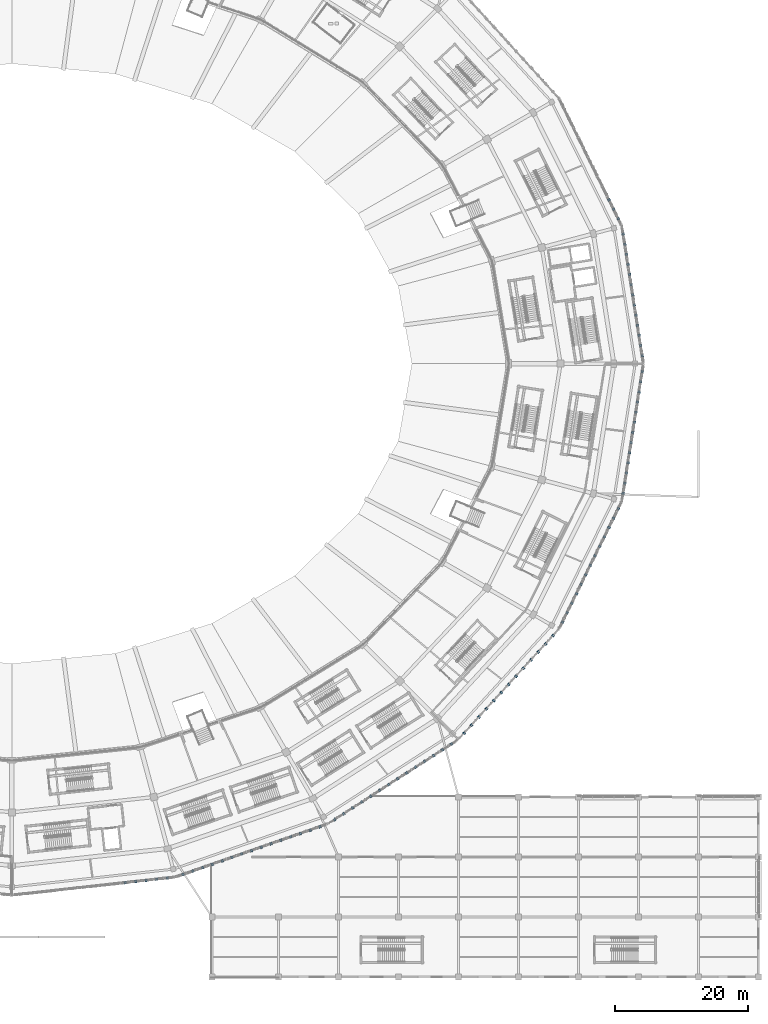
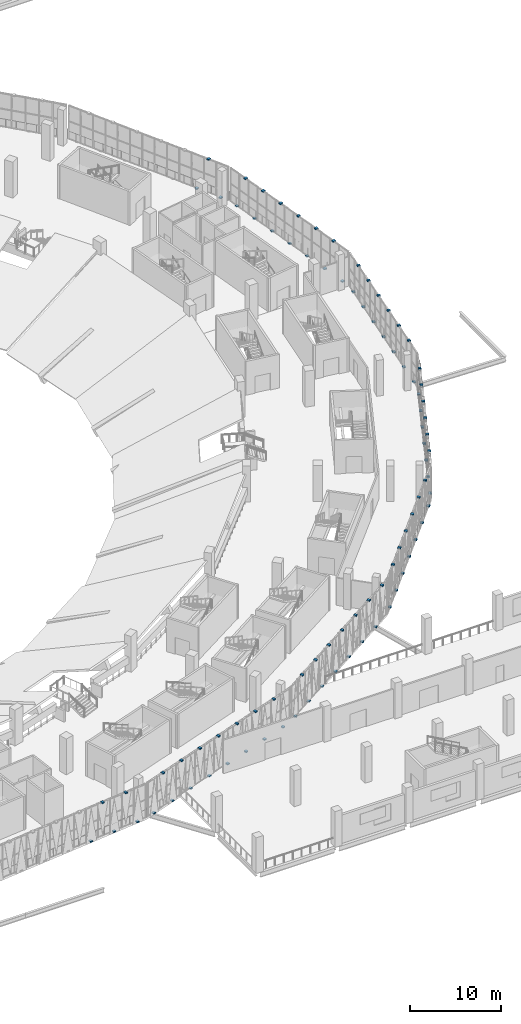
# One storey, part 121 of 183: 89 discrete accessories.
"""IFC4 building model written with IfcOpenShell, lengths in metres."""

from ifc_helpers import new_model, si_unit, direction, frame, origin, origin_2d, place, context, subcontext, project, spatial, rectangle, extrude, material, layer, layer_set, type_object, element, save


model = new_model("IFC4")

# Units and contexts
model_context = context("Model", 3, precision=1e-05, world=origin(), true_north=direction((0.0, 1.0)))
body_context = subcontext(model_context, "Body", "Model", "MODEL_VIEW")
ifc_project = project(units=[si_unit("LENGTHUNIT", "METRE"), si_unit("AREAUNIT", "SQUARE_METRE"), si_unit("VOLUMEUNIT", "CUBIC_METRE"), si_unit("PLANEANGLEUNIT", "RADIAN"), si_unit("MASSUNIT", "GRAM", prefix="KILO")], contexts=[model_context])

# Site, building, storey
site_placement = place(None, origin())
site = spatial("IfcSite", under=ifc_project, at=site_placement, CompositionType="ELEMENT")
building_placement = place(site_placement, origin())
building = spatial("IfcBuilding", under=site, at=building_placement, Name="Zevraka Park Crest Stadium", CompositionType="ELEMENT")
storey_placement = place(building_placement, frame((0.0, 0.0, 5.39990234375)))
storey = spatial("IfcBuildingStorey", under=building, at=storey_placement, Name="L01", CompositionType="ELEMENT", Elevation=5.39990234375)

# Discrete accessories
ifc_material = material(Name="Galvanised steel bracketry", Category="steel")
ifc_layer = layer(ifc_material, 0.1201171875)
ifc_layer_set = layer_set([ifc_layer], Name="Galvanised steel bracketry")
discrete_accessory_type = type_object("IfcDiscreteAccessoryType", Name="BRK01", PredefinedType="BRACKET", material=ifc_layer_set)
for number, where, z_axis, x_axis, name in (
    (1, (206.552978515625, 93.196044921875, -0.15966796875), (0.0, 0.0, 1.0), (-0.154537952419, 0.987986852778, 0.0), "Bronze Screen Carrier Bracket BRK01 L01-00-1"),
    (2, (206.31494140625, 94.716064453125, 4.38037109375), (0.0, 0.0, 1.0), (-0.154537952419, 0.987986852778, 0.0), "Bronze Screen Carrier Bracket BRK01 L01-00-2"),
    (3, (206.076904296875, 96.237060546875, -0.15966796875), (0.0, 0.0, 1.0), (-0.154537952419, 0.987986852778, 0.0), "Bronze Screen Carrier Bracket BRK01 L01-00-3"),
    (4, (205.839111328125, 97.757080078125, 4.38037109375), (0.0, 0.0, 1.0), (-0.154537952419, 0.987986852778, 0.0), "Bronze Screen Carrier Bracket BRK01 L01-00-4"),
    (5, (205.60205078125, 99.277099609375, -0.15966796875), (0.0, 0.0, 1.0), (-0.154537952419, 0.987986852778, 0.0), "Bronze Screen Carrier Bracket BRK01 L01-00-5"),
    (6, (205.364013671875, 100.798095703125, 4.38037109375), (0.0, 0.0, 1.0), (-0.154537952419, 0.987986852778, 0.0), "Bronze Screen Carrier Bracket BRK01 L01-00-6"),
    (7, (205.1259765625, 102.318115234375, -0.15966796875), (0.0, 0.0, 1.0), (-0.154537952419, 0.987986852778, 0.0), "Bronze Screen Carrier Bracket BRK01 L01-00-7"),
    (8, (204.887939453125, 103.837890625, 4.38037109375), (0.0, 0.0, 1.0), (-0.154537952419, 0.987986852778, 0.0), "Bronze Screen Carrier Bracket BRK01 L01-00-8"),
    (9, (204.64990234375, 105.35888671875, -0.15966796875), (0.0, 0.0, 1.0), (-0.154537952419, 0.987986852778, 0.0), "Bronze Screen Carrier Bracket BRK01 L01-00-9"),
    (10, (204.4130859375, 106.87890625, 4.38037109375), (0.0, 0.0, 1.0), (-0.154537952419, 0.987986852778, 0.0), "Bronze Screen Carrier Bracket BRK01 L01-00-10"),
    (11, (204.175048828125, 108.39892578125, -0.15966796875), (0.0, 0.0, 1.0), (-0.154537952419, 0.987986852778, 0.0), "Bronze Screen Carrier Bracket BRK01 L01-00-11"),
    (12, (203.93701171875, 109.919921875, 4.38037109375), (0.0, 0.0, 1.0), (-0.154537952419, 0.987986852778, 0.0), "Bronze Screen Carrier Bracket BRK01 L01-00-12"),
    (13, (203.698974609375, 111.43994140625, -0.15966796875), (0.0, 0.0, 1.0), (-0.154537952419, 0.987986852778, 0.0), "Bronze Screen Carrier Bracket BRK01 L01-00-13"),
    (14, (202.968017578125, 113.740966796875, -0.15966796875), (0.0, 0.0, 1.0), (-0.441505852792, 0.897258369674, 0.0), "Bronze Screen Carrier Bracket BRK01 L01-01-1"),
    (15, (202.27001953125, 115.158935546875, 4.38037109375), (0.0, 0.0, 1.0), (-0.441505852792, 0.897258369674, 0.0), "Bronze Screen Carrier Bracket BRK01 L01-01-2"),
    (16, (201.572021484375, 116.577880859375, -0.15966796875), (0.0, 0.0, 1.0), (-0.441505852792, 0.897258369674, 0.0), "Bronze Screen Carrier Bracket BRK01 L01-01-3"),
    (17, (128.989013671875, 14.14306640625, -0.15966796875), (0.0, 0.0, 1.0), (0.9939225904, 0.110081262225, 0.0), "Bronze Screen Carrier Bracket BRK01 L01-18-11"),
    (18, (130.56494140625, 14.318115234375, 4.38037109375), (0.0, 0.0, 1.0), (0.9939225904, 0.110081262225, 0.0), "Bronze Screen Carrier Bracket BRK01 L01-18-12"),
    (19, (132.14111328125, 14.492919921875, -0.15966796875), (0.0, 0.0, 1.0), (0.9939225904, 0.110081262225, 0.0), "Bronze Screen Carrier Bracket BRK01 L01-18-13"),
    (20, (133.718017578125, 14.6669921875, 4.38037109375), (0.0, 0.0, 1.0), (0.9939225904, 0.110081262225, 0.0), "Bronze Screen Carrier Bracket BRK01 L01-18-14"),
    (21, (135.2939453125, 14.842041015625, -0.15966796875), (0.0, 0.0, 1.0), (0.9939225904, 0.110081262225, 0.0), "Bronze Screen Carrier Bracket BRK01 L01-18-15"),
    (22, (137.675048828125, 15.3798828125, -0.15966796875), (0.0, 0.0, 1.0), (0.944261516589, 0.329196276237, 0.0), "Bronze Screen Carrier Bracket BRK01 L01-19-1"),
    (23, (139.14208984375, 15.89208984375, 4.38037109375), (0.0, 0.0, 1.0), (0.944261516589, 0.329196276237, 0.0), "Bronze Screen Carrier Bracket BRK01 L01-19-2"),
    (24, (140.610107421875, 16.403076171875, -0.15966796875), (0.0, 0.0, 1.0), (0.944261516589, 0.329196276237, 0.0), "Bronze Screen Carrier Bracket BRK01 L01-19-3"),
    (25, (142.077880859375, 16.9150390625, 4.38037109375), (0.0, 0.0, 1.0), (0.944261516589, 0.329196276237, 0.0), "Bronze Screen Carrier Bracket BRK01 L01-19-4"),
    (26, (143.544921875, 17.427001953125, -0.15966796875), (0.0, 0.0, 1.0), (0.944261516589, 0.329196276237, 0.0), "Bronze Screen Carrier Bracket BRK01 L01-19-5"),
    (27, (145.012939453125, 17.93896484375, 4.38037109375), (0.0, 0.0, 1.0), (0.944261516589, 0.329196276237, 0.0), "Bronze Screen Carrier Bracket BRK01 L01-19-6"),
    (28, (146.47998046875, 18.449951171875, -0.15966796875), (0.0, 0.0, 1.0), (0.944261516589, 0.329196276237, 0.0), "Bronze Screen Carrier Bracket BRK01 L01-19-7"),
    (29, (147.947998046875, 18.9619140625, 4.38037109375), (0.0, 0.0, 1.0), (0.944261516589, 0.329196276237, 0.0), "Bronze Screen Carrier Bracket BRK01 L01-19-8"),
    (30, (149.416015625, 19.47412109375, -0.15966796875), (0.0, 0.0, 1.0), (0.944261516589, 0.329196276237, 0.0), "Bronze Screen Carrier Bracket BRK01 L01-19-9"),
    (31, (150.883056640625, 19.985107421875, 4.38037109375), (0.0, 0.0, 1.0), (0.944261516589, 0.329196276237, 0.0), "Bronze Screen Carrier Bracket BRK01 L01-19-10"),
    (32, (152.35107421875, 20.4970703125, -0.15966796875), (0.0, 0.0, 1.0), (0.944261516589, 0.329196276237, 0.0), "Bronze Screen Carrier Bracket BRK01 L01-19-11"),
    (33, (153.818115234375, 21.009033203125, 4.38037109375), (0.0, 0.0, 1.0), (0.944261516589, 0.329196276237, 0.0), "Bronze Screen Carrier Bracket BRK01 L01-19-12"),
    (34, (155.285888671875, 21.52099609375, -0.15966796875), (0.0, 0.0, 1.0), (0.944261516589, 0.329196276237, 0.0), "Bronze Screen Carrier Bracket BRK01 L01-19-13"),
    (35, (156.75390625, 22.031982421875, 4.38037109375), (0.0, 0.0, 1.0), (0.944261516589, 0.329196276237, 0.0), "Bronze Screen Carrier Bracket BRK01 L01-19-14"),
    (36, (158.220947265625, 22.5439453125, -0.15966796875), (0.0, 0.0, 1.0), (0.944261516589, 0.329196276237, 0.0), "Bronze Screen Carrier Bracket BRK01 L01-19-15"),
    (37, (160.4189453125, 23.62109375, -0.15966796875), (0.0, 0.0, 1.0), (0.839998867196, 0.542588152386, 0.0), "Bronze Screen Carrier Bracket BRK01 L01-20-1"),
    (38, (161.76806640625, 24.491943359375, 4.38037109375), (0.0, 0.0, 1.0), (0.839998867196, 0.542588152386, 0.0), "Bronze Screen Carrier Bracket BRK01 L01-20-2"),
    (39, (163.115966796875, 25.363037109375, -0.15966796875), (0.0, 0.0, 1.0), (0.839998867196, 0.542588152386, 0.0), "Bronze Screen Carrier Bracket BRK01 L01-20-3"),
    (40, (164.465087890625, 26.23388671875, 4.38037109375), (0.0, 0.0, 1.0), (0.839998867196, 0.542588152386, 0.0), "Bronze Screen Carrier Bracket BRK01 L01-20-4"),
    (41, (165.81298828125, 27.10498046875, -0.15966796875), (0.0, 0.0, 1.0), (0.839998867196, 0.542588152386, 0.0), "Bronze Screen Carrier Bracket BRK01 L01-20-5"),
    (42, (167.160888671875, 27.97607421875, 4.38037109375), (0.0, 0.0, 1.0), (0.839998867196, 0.542588152386, 0.0), "Bronze Screen Carrier Bracket BRK01 L01-20-6"),
    (43, (168.510009765625, 28.846923828125, -0.15966796875), (0.0, 0.0, 1.0), (0.839998867196, 0.542588152386, 0.0), "Bronze Screen Carrier Bracket BRK01 L01-20-7"),
    (44, (169.85791015625, 29.717041015625, 4.38037109375), (0.0, 0.0, 1.0), (0.839998867196, 0.542588152386, 0.0), "Bronze Screen Carrier Bracket BRK01 L01-20-8"),
    (45, (171.20703125, 30.587890625, -0.15966796875), (0.0, 0.0, 1.0), (0.839998867196, 0.542588152386, 0.0), "Bronze Screen Carrier Bracket BRK01 L01-20-9"),
    (46, (172.554931640625, 31.458984375, 4.38037109375), (0.0, 0.0, 1.0), (0.839998867196, 0.542588152386, 0.0), "Bronze Screen Carrier Bracket BRK01 L01-20-10"),
    (47, (173.903076171875, 32.330078125, -0.15966796875), (0.0, 0.0, 1.0), (0.839998867196, 0.542588152386, 0.0), "Bronze Screen Carrier Bracket BRK01 L01-20-11"),
    (48, (175.251953125, 33.200927734375, 4.38037109375), (0.0, 0.0, 1.0), (0.839998867196, 0.542588152386, 0.0), "Bronze Screen Carrier Bracket BRK01 L01-20-12"),
    (49, (176.60009765625, 34.072021484375, -0.15966796875), (0.0, 0.0, 1.0), (0.839998867196, 0.542588152386, 0.0), "Bronze Screen Carrier Bracket BRK01 L01-20-13"),
    (50, (177.948974609375, 34.943115234375, 4.38037109375), (0.0, 0.0, 1.0), (0.839998867196, 0.542588152386, 0.0), "Bronze Screen Carrier Bracket BRK01 L01-20-14"),
    (51, (179.84912109375, 36.555908203125, -0.15966796875), (0.0, 0.0, 1.0), (0.673657707057, 0.739043499209, 0.0), "Bronze Screen Carrier Bracket BRK01 L01-21-1"),
    (52, (180.9609375, 37.77587890625, 4.38037109375), (0.0, 0.0, 1.0), (0.673657707057, 0.739043499209, 0.0), "Bronze Screen Carrier Bracket BRK01 L01-21-2"),
    (53, (182.073974609375, 38.99609375, -0.15966796875), (0.0, 0.0, 1.0), (0.673657707057, 0.739043499209, 0.0), "Bronze Screen Carrier Bracket BRK01 L01-21-3"),
    (54, (183.18603515625, 40.216064453125, 4.38037109375), (0.0, 0.0, 1.0), (0.673657707057, 0.739043499209, 0.0), "Bronze Screen Carrier Bracket BRK01 L01-21-4"),
    (55, (184.298095703125, 41.43603515625, -0.15966796875), (0.0, 0.0, 1.0), (0.673657707057, 0.739043499209, 0.0), "Bronze Screen Carrier Bracket BRK01 L01-21-5"),
    (56, (185.409912109375, 42.656005859375, 4.38037109375), (0.0, 0.0, 1.0), (0.673657707057, 0.739043499209, 0.0), "Bronze Screen Carrier Bracket BRK01 L01-21-6"),
    (57, (186.52197265625, 43.8759765625, -0.15966796875), (0.0, 0.0, 1.0), (0.673657707057, 0.739043499209, 0.0), "Bronze Screen Carrier Bracket BRK01 L01-21-7"),
    (58, (187.635009765625, 45.096923828125, 4.38037109375), (0.0, 0.0, 1.0), (0.673657707057, 0.739043499209, 0.0), "Bronze Screen Carrier Bracket BRK01 L01-21-8"),
    (59, (188.7470703125, 46.31689453125, -0.15966796875), (0.0, 0.0, 1.0), (0.673657707057, 0.739043499209, 0.0), "Bronze Screen Carrier Bracket BRK01 L01-21-9"),
    (60, (189.85888671875, 47.537109375, 4.38037109375), (0.0, 0.0, 1.0), (0.673657707057, 0.739043499209, 0.0), "Bronze Screen Carrier Bracket BRK01 L01-21-10"),
    (61, (190.970947265625, 48.757080078125, -0.15966796875), (0.0, 0.0, 1.0), (0.673657707057, 0.739043499209, 0.0), "Bronze Screen Carrier Bracket BRK01 L01-21-11"),
    (62, (192.083984375, 49.97705078125, 4.38037109375), (0.0, 0.0, 1.0), (0.673657707057, 0.739043499209, 0.0), "Bronze Screen Carrier Bracket BRK01 L01-21-12"),
    (63, (193.196044921875, 51.197021484375, -0.15966796875), (0.0, 0.0, 1.0), (0.673657707057, 0.739043499209, 0.0), "Bronze Screen Carrier Bracket BRK01 L01-21-13"),
    (64, (194.593017578125, 53.239013671875, -0.15966796875), (0.0, 0.0, 1.0), (0.441505852792, 0.897258369674, 0.0), "Bronze Screen Carrier Bracket BRK01 L01-22-1"),
    (65, (195.291015625, 54.656982421875, 4.38037109375), (0.0, 0.0, 1.0), (0.441505852792, 0.897258369674, 0.0), "Bronze Screen Carrier Bracket BRK01 L01-22-2"),
    (66, (195.989013671875, 56.075927734375, -0.15966796875), (0.0, 0.0, 1.0), (0.441505852792, 0.897258369674, 0.0), "Bronze Screen Carrier Bracket BRK01 L01-22-3"),
    (67, (196.68701171875, 57.493896484375, 4.38037109375), (0.0, 0.0, 1.0), (0.441505852792, 0.897258369674, 0.0), "Bronze Screen Carrier Bracket BRK01 L01-22-4"),
    (68, (197.385009765625, 58.912109375, -0.15966796875), (0.0, 0.0, 1.0), (0.441505852792, 0.897258369674, 0.0), "Bronze Screen Carrier Bracket BRK01 L01-22-5"),
    (69, (198.0830078125, 60.3310546875, 4.38037109375), (0.0, 0.0, 1.0), (0.441505852792, 0.897258369674, 0.0), "Bronze Screen Carrier Bracket BRK01 L01-22-6"),
    (70, (198.780029296875, 61.7490234375, -0.15966796875), (0.0, 0.0, 1.0), (0.441505852792, 0.897258369674, 0.0), "Bronze Screen Carrier Bracket BRK01 L01-22-7"),
    (71, (199.47802734375, 63.1669921875, 4.38037109375), (0.0, 0.0, 1.0), (0.441505852792, 0.897258369674, 0.0), "Bronze Screen Carrier Bracket BRK01 L01-22-8"),
    (72, (200.176025390625, 64.5859375, -0.15966796875), (0.0, 0.0, 1.0), (0.441505852792, 0.897258369674, 0.0), "Bronze Screen Carrier Bracket BRK01 L01-22-9"),
    (73, (200.8740234375, 66.00390625, 4.38037109375), (0.0, 0.0, 1.0), (0.441505852792, 0.897258369674, 0.0), "Bronze Screen Carrier Bracket BRK01 L01-22-10"),
    (74, (201.572021484375, 67.422119140625, -0.15966796875), (0.0, 0.0, 1.0), (0.441505852792, 0.897258369674, 0.0), "Bronze Screen Carrier Bracket BRK01 L01-22-11"),
    (75, (202.27001953125, 68.841064453125, 4.38037109375), (0.0, 0.0, 1.0), (0.441505852792, 0.897258369674, 0.0), "Bronze Screen Carrier Bracket BRK01 L01-22-12"),
    (76, (202.968017578125, 70.259033203125, -0.15966796875), (0.0, 0.0, 1.0), (0.441505852792, 0.897258369674, 0.0), "Bronze Screen Carrier Bracket BRK01 L01-22-13"),
    (77, (203.698974609375, 72.56005859375, -0.15966796875), (0.0, 0.0, 1.0), (0.154537952419, 0.987986852778, 0.0), "Bronze Screen Carrier Bracket BRK01 L01-23-1"),
    (78, (203.93701171875, 74.080078125, 4.38037109375), (0.0, 0.0, 1.0), (0.154537952419, 0.987986852778, 0.0), "Bronze Screen Carrier Bracket BRK01 L01-23-2"),
    (79, (204.175048828125, 75.60107421875, -0.15966796875), (0.0, 0.0, 1.0), (0.154537952419, 0.987986852778, 0.0), "Bronze Screen Carrier Bracket BRK01 L01-23-3"),
    (80, (204.4130859375, 77.12109375, 4.38037109375), (0.0, 0.0, 1.0), (0.154537952419, 0.987986852778, 0.0), "Bronze Screen Carrier Bracket BRK01 L01-23-4"),
    (81, (204.64990234375, 78.64111328125, -0.15966796875), (0.0, 0.0, 1.0), (0.154537952419, 0.987986852778, 0.0), "Bronze Screen Carrier Bracket BRK01 L01-23-5"),
    (82, (204.887939453125, 80.162109375, 4.38037109375), (0.0, 0.0, 1.0), (0.154537952419, 0.987986852778, 0.0), "Bronze Screen Carrier Bracket BRK01 L01-23-6"),
    (83, (205.1259765625, 81.681884765625, -0.15966796875), (0.0, 0.0, 1.0), (0.154537952419, 0.987986852778, 0.0), "Bronze Screen Carrier Bracket BRK01 L01-23-7"),
    (84, (205.364013671875, 83.201904296875, 4.38037109375), (0.0, 0.0, 1.0), (0.154537952419, 0.987986852778, 0.0), "Bronze Screen Carrier Bracket BRK01 L01-23-8"),
    (85, (205.60205078125, 84.722900390625, -0.15966796875), (0.0, 0.0, 1.0), (0.154537952419, 0.987986852778, 0.0), "Bronze Screen Carrier Bracket BRK01 L01-23-9"),
    (86, (205.839111328125, 86.242919921875, 4.38037109375), (0.0, 0.0, 1.0), (0.154537952419, 0.987986852778, 0.0), "Bronze Screen Carrier Bracket BRK01 L01-23-10"),
    (87, (206.076904296875, 87.762939453125, -0.15966796875), (0.0, 0.0, 1.0), (0.154537952419, 0.987986852778, 0.0), "Bronze Screen Carrier Bracket BRK01 L01-23-11"),
    (88, (206.31494140625, 89.283935546875, 4.38037109375), (0.0, 0.0, 1.0), (0.154537952419, 0.987986852778, 0.0), "Bronze Screen Carrier Bracket BRK01 L01-23-12"),
    (89, (206.552978515625, 90.803955078125, -0.15966796875), (0.0, 0.0, 1.0), (0.154537952419, 0.987986852778, 0.0), "Bronze Screen Carrier Bracket BRK01 L01-23-13"),
):
    element("IfcDiscreteAccessory", number, at=place(storey_placement, frame(where, z_axis=z_axis, x_axis=x_axis)), inside=storey, type_object=discrete_accessory_type, Name=name, PredefinedType="BRACKET", context=body_context, shape_type="SweptSolid", body=[
        extrude(rectangle(XDim=0.320068359375, YDim=0.360107421875, at=origin_2d()), origin(), (0.0, 0.0, 1.0), 0.159912109375),
    ])

save(model, "model.ifc")
